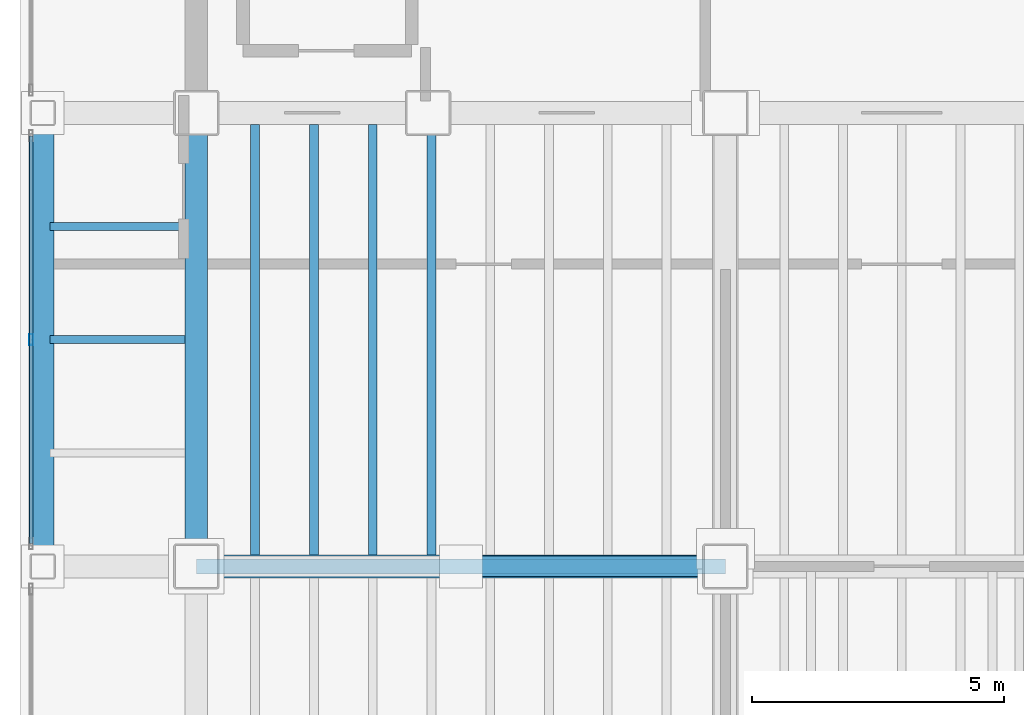
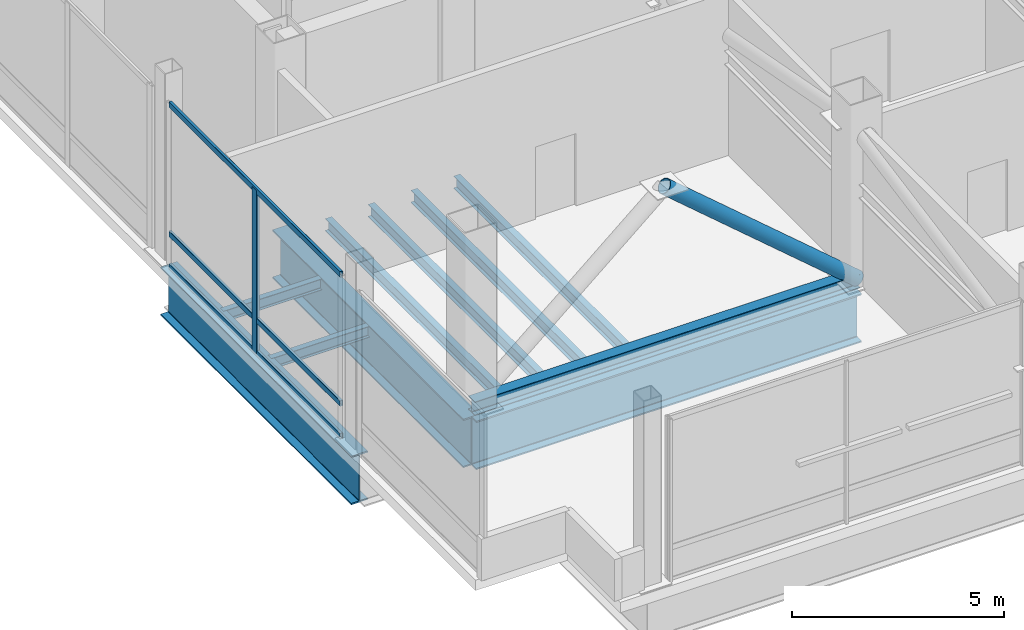
# One storey, part 3 of 18: 9 beams, 6 members, 1 element without a shape of its own.
"""IFC4 building model written with IfcOpenShell, lengths in metres."""

from ifc_helpers import new_model, si_unit, direction, frame, origin, origin_2d, place, context, subcontext, project, spatial, hollow_rectangle, hollow_circle, i_section, extrude, material, material_profile, profile_set, type_object, element, aggregate, save


model = new_model("IFC4")

# Units and contexts
model_context = context("Model", 3, precision=1e-05, world=origin(), true_north=direction((0.0, 1.0)))
body_context = subcontext(model_context, "Body", "Model", "MODEL_VIEW")
ifc_project = project(units=[si_unit("LENGTHUNIT", "METRE"), si_unit("AREAUNIT", "SQUARE_METRE"), si_unit("VOLUMEUNIT", "CUBIC_METRE"), si_unit("PLANEANGLEUNIT", "RADIAN"), si_unit("MASSUNIT", "GRAM", prefix="KILO")], contexts=[model_context])

# Site, building, storey
site_placement = place(None, origin())
site = spatial("IfcSite", under=ifc_project, at=site_placement, CompositionType="ELEMENT")
building_placement = place(site_placement, origin())
building = spatial("IfcBuilding", under=site, at=building_placement, Name="Noeulbin Bourse Tower", CompositionType="ELEMENT")
storey_placement = place(building_placement, frame((0.0, 0.0, 200.699951171875)))
storey = spatial("IfcBuildingStorey", under=building, at=storey_placement, Name="L50", CompositionType="ELEMENT", Elevation=200.699951171875)

# Beams
ifc_material_1 = material(Name="Steel S355", Category="steel")
ifc_material_profile_1 = material_profile(ifc_material_1, i_section(OverallWidth=0.159912109375, OverallDepth=0.320068359375, WebThickness=0.006591796875, FlangeThickness=0.010009765625, FilletRadius=0.012939453125, at=origin_2d()), Name="H-320x160x6.5x10", Category="LoadBearing")
ifc_profile_set_1 = profile_set([ifc_material_profile_1], Name="Steel S355")
beam_type_1 = type_object("IfcBeamType", Name="BM-JST-320", PredefinedType="JOIST", material=ifc_profile_set_1)
for number, where, z_axis, x_axis, name in (
    (1, (10.60009765625, 24.5, -0.4599609375), (1.0, 0.0, 0.0), (0.0, 1.0, 0.0), "Wing Composite Joist L50-W48"),
    (2, (10.60009765625, 26.75, -0.4599609375), (1.0, 0.0, 0.0), (0.0, 1.0, 0.0), "Wing Composite Joist L50-W49"),
):
    element("IfcBeam", number, at=place(storey_placement, frame(where, z_axis=z_axis, x_axis=x_axis)), inside=storey, type_object=beam_type_1, Name=name, PredefinedType="JOIST", context=body_context, shape_type="SweptSolid", body=[
        extrude(i_section(OverallWidth=0.159912109375, OverallDepth=0.320068359375, WebThickness=0.006591796875, FlangeThickness=0.010009765625, FilletRadius=0.012939453125, at=origin_2d()), origin(), (0.0, 0.0, 1.0), 2.6748046875),
    ])
ifc_material_profile_2 = material_profile(ifc_material_1, i_section(OverallWidth=0.175048828125, OverallDepth=0.35009765625, WebThickness=0.007080078125, FlangeThickness=0.010986328125, FilletRadius=0.013916015625, at=origin_2d()), Name="H-350x175x7x11", Category="LoadBearing")
ifc_profile_set_2 = profile_set([ifc_material_profile_2], Name="Steel S355")
beam_type_2 = type_object("IfcBeamType", Name="BM-JST-350", PredefinedType="JOIST", material=ifc_profile_set_2)
for number, where, z_axis, x_axis, name in (
    (3, (14.666748046875, 20.22509765625, -0.474853515625), (0.0, 1.0, 0.0), (-1.0, 0.0, 0.0), "Tower Composite Joist L50-02"),
    (4, (15.833251953125, 20.22509765625, -0.474853515625), (0.0, 1.0, 0.0), (-1.0, 0.0, 0.0), "Tower Composite Joist L50-04"),
    (5, (17.0, 20.22509765625, -0.474853515625), (0.0, 1.0, 0.0), (-1.0, 0.0, 0.0), "Tower Composite Joist L50-06"),
    (6, (18.166748046875, 20.22509765625, -0.474853515625), (0.0, 1.0, 0.0), (-1.0, 0.0, 0.0), "Tower Composite Joist L50-08"),
):
    element("IfcBeam", number, at=place(storey_placement, frame(where, z_axis=z_axis, x_axis=x_axis)), inside=storey, type_object=beam_type_2, Name=name, PredefinedType="JOIST", context=body_context, shape_type="SweptSolid", body=[
        extrude(i_section(OverallWidth=0.175048828125, OverallDepth=0.35009765625, WebThickness=0.007080078125, FlangeThickness=0.010986328125, FilletRadius=0.013916015625, at=origin_2d()), origin(), (0.0, 0.0, 1.0), 8.5498046875),
    ])
ifc_material_2 = material(Name="Steel S460", Category="steel")
ifc_material_profile_3 = material_profile(ifc_material_2, i_section(OverallWidth=0.449951171875, OverallDepth=1.39990234375, WebThickness=0.02392578125, FlangeThickness=0.0400390625, FilletRadius=0.02392578125, at=origin_2d()), Name="PG-1400x450x24x40", Category="LoadBearing")
ifc_profile_set_3 = profile_set([ifc_material_profile_3], Name="Steel S460")
beam_type_3 = type_object("IfcBeamType", Name="BM-TRF-1400", PredefinedType="USERDEFINED", material=ifc_profile_set_3)
beam_placement = place(storey_placement, frame((13.5, 20.0, -1.0), z_axis=(1.0, 0.0, 0.0), x_axis=(0.0, 1.0, 0.0)))
element("IfcBeam", 7, at=beam_placement, inside=storey, type_object=beam_type_3, Name="Tower Primary Girder EW L50-1.2", ObjectType="GIRDER", PredefinedType="USERDEFINED", context=body_context, shape_type="SweptSolid", body=[
    extrude(i_section(OverallWidth=0.449951171875, OverallDepth=1.39990234375, WebThickness=0.02392578125, FlangeThickness=0.0400390625, FilletRadius=0.02392578125, at=origin_2d()), origin(), (0.0, 0.0, 1.0), 10.5),
])
for number, where, z_axis, x_axis, name in (
    (8, (13.5, 20.0, -1.0), (0.0, 1.0, 0.0), (-1.0, 0.0, 0.0), "Tower Primary Girder NS L50-1.2"),
    (9, (10.449951171875, 20.0, -1.0), (0.0, 1.0, 0.0), (-1.0, 0.0, 0.0), "West Spandrel L50-1"),
):
    element("IfcBeam", number, at=place(storey_placement, frame(where, z_axis=z_axis, x_axis=x_axis)), inside=storey, type_object=beam_type_3, Name=name, ObjectType="GIRDER", PredefinedType="USERDEFINED", context=body_context, shape_type="SweptSolid", body=[
        extrude(i_section(OverallWidth=0.449951171875, OverallDepth=1.39990234375, WebThickness=0.02392578125, FlangeThickness=0.0400390625, FilletRadius=0.02392578125, at=origin_2d()), origin(), (0.0, 0.0, 1.0), 9.0),
    ])

# Curtain wall, members
ifc_material_3 = material(Name="Translucent Ceramic-Fritted Glass", Category="glass")
curtain_wall_type = type_object("IfcCurtainWallType", Name="CW-SYS-5", PredefinedType="NOTDEFINED", material=ifc_material_3)
curtain_wall_placement = place(storey_placement, origin())
curtain_wall = element("IfcCurtainWall", 10, at=curtain_wall_placement, inside=storey, type_object=curtain_wall_type, Name="Unitised Curtain Wall CW-L50-W-S2", PredefinedType="NOTDEFINED")
ifc_material_4 = material(Name="Anodised Aluminium 6063-T6", Category="aluminium")
ifc_material_profile_4 = material_profile(ifc_material_4, hollow_rectangle(XDim=0.074951171875, YDim=0.219970703125, WallThickness=0.0048828125, InnerFilletRadius=0.00244140625, OuterFilletRadius=0.0048828125, at=origin_2d()), Name="ALU-MULL-75x220x5", Category="LoadBearing")
ifc_profile_set_4 = profile_set([ifc_material_profile_4], Name="Anodised Aluminium 6063-T6")
member_type_1 = type_object("IfcMemberType", Name="CW-SYS-5-MUL", PredefinedType="MULLION", material=ifc_profile_set_4)
member_1_placement = place(storey_placement, frame((10.219970703125, 24.5, -0.02001953125), z_axis=(0.0, 0.0, 1.0), x_axis=(1.0, 0.0, 0.0)))
member_1 = element("IfcMember", 11, at=member_1_placement, type_object=member_type_1, Name="Curtain Wall Mullion CW-L50-W-S2-M01", PredefinedType="MULLION", context=body_context, shape_type="SweptSolid", body=[
    extrude(hollow_rectangle(XDim=0.074951171875, YDim=0.219970703125, WallThickness=0.0048828125, InnerFilletRadius=0.00244140625, OuterFilletRadius=0.0048828125, at=origin_2d()), origin(), (0.0, 0.0, 1.0), 4.719970703125),
])
ifc_material_profile_5 = material_profile(ifc_material_4, hollow_rectangle(XDim=0.074951171875, YDim=0.159912109375, WallThickness=0.0048828125, InnerFilletRadius=0.00244140625, OuterFilletRadius=0.0048828125, at=origin_2d()), Name="ALU-TRAN-75x160x5", Category="LoadBearing")
ifc_profile_set_5 = profile_set([ifc_material_profile_5], Name="Anodised Aluminium 6063-T6")
member_type_2 = type_object("IfcMemberType", Name="CW-SYS-5-TRN", PredefinedType="USERDEFINED", material=ifc_profile_set_5)
member_2_placement = place(storey_placement, frame((10.219970703125, 20.4599609375, 0.010009765625), z_axis=(0.0, 1.0, 0.0), x_axis=(-1.0, 0.0, 0.0)))
member_2 = element("IfcMember", 12, at=member_2_placement, type_object=member_type_2, Name="Curtain Wall Transom CW-L50-W-S2-T00", ObjectType="TRANSOM", PredefinedType="USERDEFINED", context=body_context, shape_type="SweptSolid", body=[
    extrude(hollow_rectangle(XDim=0.074951171875, YDim=0.159912109375, WallThickness=0.0048828125, InnerFilletRadius=0.00244140625, OuterFilletRadius=0.0048828125, at=origin_2d()), origin(), (0.0, 0.0, 1.0), 8.080078125),
])
member_3_placement = place(storey_placement, frame((10.219970703125, 20.4599609375, 0.949951171875), z_axis=(0.0, 1.0, 0.0), x_axis=(-1.0, 0.0, 0.0)))
member_3 = element("IfcMember", 13, at=member_3_placement, type_object=member_type_2, Name="Curtain Wall Transom CW-L50-W-S2-T01", ObjectType="TRANSOM", PredefinedType="USERDEFINED", context=body_context, shape_type="SweptSolid", body=[
    extrude(hollow_rectangle(XDim=0.074951171875, YDim=0.159912109375, WallThickness=0.0048828125, InnerFilletRadius=0.00244140625, OuterFilletRadius=0.0048828125, at=origin_2d()), origin(), (0.0, 0.0, 1.0), 8.080078125),
])
member_4_placement = place(storey_placement, frame((10.219970703125, 20.4599609375, 4.670166015625), z_axis=(0.0, 1.0, 0.0), x_axis=(-1.0, 0.0, 0.0)))
member_4 = element("IfcMember", 14, at=member_4_placement, type_object=member_type_2, Name="Curtain Wall Transom CW-L50-W-S2-T02", ObjectType="TRANSOM", PredefinedType="USERDEFINED", context=body_context, shape_type="SweptSolid", body=[
    extrude(hollow_rectangle(XDim=0.074951171875, YDim=0.159912109375, WallThickness=0.0048828125, InnerFilletRadius=0.00244140625, OuterFilletRadius=0.0048828125, at=origin_2d()), origin(), (0.0, 0.0, 1.0), 8.080078125),
])
aggregate(curtain_wall, [member_1, member_2, member_3, member_4])

# Members
ifc_material_profile_6 = material_profile(ifc_material_1, hollow_circle(Radius=0.203125, WallThickness=0.01611328125, at=origin_2d()), Name="CHS-406.4x16.0", Category="LoadBearing")
ifc_profile_set_6 = profile_set([ifc_material_profile_6], Name="Steel S355")
member_type_3 = type_object("IfcMemberType", Name="MEM-BLT-406", PredefinedType="BRACE", material=ifc_profile_set_6)
member_5_placement = place(storey_placement, frame((18.75, 20.0, 4.5), z_axis=(0.759972109263, 0.0, -0.649955685522), x_axis=(0.0, 1.0, 0.0)))
element("IfcMember", 15, at=member_5_placement, inside=storey, type_object=member_type_3, Name="Interior Spine Belt Diagonal BT-L50-1B", PredefinedType="BRACE", context=body_context, shape_type="SweptSolid", body=[
    extrude(hollow_circle(Radius=0.203125, WallThickness=0.01611328125, at=origin_2d()), origin(), (0.0, 0.0, 1.0), 6.908203125),
])
ifc_material_profile_7 = material_profile(ifc_material_1, i_section(OverallWidth=0.300048828125, OverallDepth=0.389892578125, WebThickness=0.010009765625, FlangeThickness=0.01611328125, FilletRadius=0.01806640625, at=origin_2d()), Name="H-390x300x10x16", Category="LoadBearing")
ifc_profile_set_7 = profile_set([ifc_material_profile_7], Name="Steel S355")
member_type_4 = type_object("IfcMemberType", Name="MEM-CHD-390", PredefinedType="CHORD", material=ifc_profile_set_7)
member_6_placement = place(storey_placement, frame((13.5, 20.0, 0.010009765625), z_axis=(1.0, 0.0, 0.0), x_axis=(0.0, 1.0, 0.0)))
element("IfcMember", 16, at=member_6_placement, inside=storey, type_object=member_type_4, Name="Interior Spine Belt Chord CH-L50-B1", PredefinedType="CHORD", context=body_context, shape_type="SweptSolid", body=[
    extrude(i_section(OverallWidth=0.300048828125, OverallDepth=0.389892578125, WebThickness=0.010009765625, FlangeThickness=0.01611328125, FilletRadius=0.01806640625, at=origin_2d()), origin(), (0.0, 0.0, 1.0), 10.5),
])

save(model, "model.ifc")
